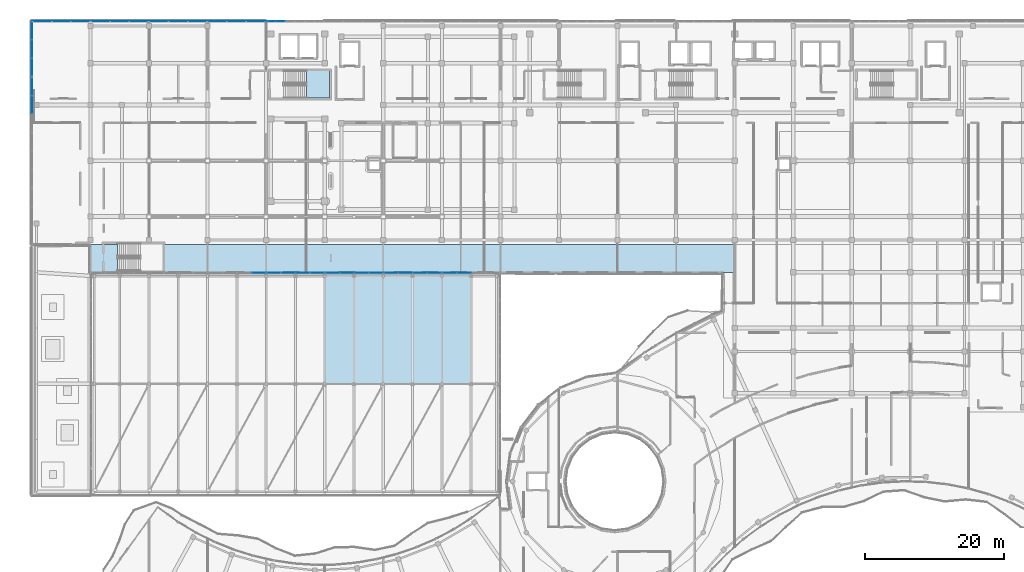
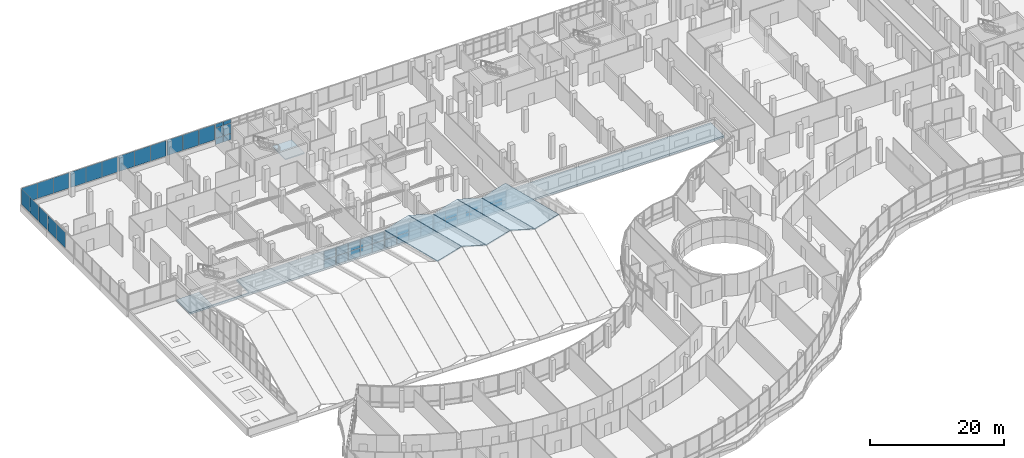
# One storey, part 151 of 184: 53 plates, 7 slabs, 13 elements without a shape of their own.
"""IFC4 building model written with IfcOpenShell, lengths in metres."""

import ifcopenshell
import ifcopenshell.guid

model = None  # the IFC model being written
_history = None  # IfcOwnerHistory: only IFC2X3 demands one
_inside = {}  # id of a spatial element -> (the spatial element, [elements in it])
_under = {}  # id of a project, library or spatial element -> (it, [spatial elements below it])
_declared = {}  # id of a project -> (the project, [libraries it declares])
_typed = {}  # id of a type object -> (the type object, [elements of that type])
_made_of = {}  # id of a material, layer set ... -> (it, [elements and type objects made of it])


def new_model(schema):
    """Start an empty IFC model of exactly this schema.

    Asked for "IFC4X3", IfcOpenShell would pick the latest addendum, in which some entities
    have other attributes; the version numbers below select the first issue.
    IFC2X3 requires an IfcOwnerHistory on every rooted entity: one is made here for all.
    """
    global model, _history
    if schema == "IFC4X3":
        model = ifcopenshell.file(schema_version=(4, 3, 0, 0))
    else:
        model = ifcopenshell.file(schema=schema)
    _inside.clear()
    _under.clear()
    _declared.clear()
    _typed.clear()
    _made_of.clear()
    _history = None
    if model.schema == "IFC2X3":
        org = make("IfcOrganization", Name="unknown")
        user = make(
            "IfcPersonAndOrganization",
            ThePerson=make("IfcPerson", FamilyName="unknown"),
            TheOrganization=org,
        )
        app = make(
            "IfcApplication",
            ApplicationDeveloper=org,
            Version="unknown",
            ApplicationFullName="unknown",
            ApplicationIdentifier="unknown",
        )
        _history = make(
            "IfcOwnerHistory",
            OwningUser=user,
            OwningApplication=app,
            ChangeAction="ADDED",
            CreationDate=0,
        )
    return model


def make(cls, **values):
    """One entity of the class cls with the attributes given. An attribute that is None is left unset."""
    return model.create_entity(
        cls, **{name: value for name, value in values.items() if value is not None}
    )


def rooted(cls, **values):
    """An entity with a GlobalId (a new one), such as an element, a storey or a relation."""
    return make(cls, GlobalId=ifcopenshell.guid.new(), OwnerHistory=_history, **values)


def si_unit(unit_type, name, prefix=None):
    """IfcSIUnit, for example si_unit("LENGTHUNIT", "METRE", prefix="MILLI")."""
    return make("IfcSIUnit", UnitType=unit_type, Prefix=prefix, Name=name)


def assignment(units):
    """IfcUnitAssignment: the units of a project."""
    return None if units is None else make("IfcUnitAssignment", Units=units)


def point(xyz):
    """IfcCartesianPoint."""
    return None if xyz is None else make("IfcCartesianPoint", Coordinates=xyz)


def direction(xyz):
    """IfcDirection."""
    return None if xyz is None else make("IfcDirection", DirectionRatios=xyz)


def frame(location, z_axis=None, x_axis=None):
    """IfcAxis2Placement3D, a coordinate frame: its origin and axes. An axis left out is left unset."""
    return make(
        "IfcAxis2Placement3D",
        Location=point(location),
        Axis=direction(z_axis),
        RefDirection=direction(x_axis),
    )


def frame_2d(location, x_axis=None):
    """IfcAxis2Placement2D, a coordinate frame in the plane: its origin and x axis."""
    return make(
        "IfcAxis2Placement2D", Location=point(location), RefDirection=direction(x_axis)
    )


def origin():
    """The frame at (0, 0, 0) with its axes left unset."""
    return frame((0.0, 0.0, 0.0))


def origin_2d():
    """The frame at (0, 0) in the plane with its x axis left unset."""
    return frame_2d((0.0, 0.0))


def place(relative_to, where):
    """IfcLocalPlacement: puts the frame where relative to a parent placement (None: the world)."""
    return make(
        "IfcLocalPlacement", PlacementRelTo=relative_to, RelativePlacement=where
    )


def context(
    kind, dimensions, precision=None, world=None, true_north=None, identifier=None
):
    """IfcGeometricRepresentationContext, for example the 3D "Model" context."""
    return make(
        "IfcGeometricRepresentationContext",
        ContextIdentifier=identifier,
        ContextType=kind,
        CoordinateSpaceDimension=dimensions,
        Precision=precision,
        WorldCoordinateSystem=world,
        TrueNorth=true_north,
    )


def subcontext(parent, identifier, kind, view, scale=None):
    """IfcGeometricRepresentationSubContext, for example "Body" below "Model"."""
    return make(
        "IfcGeometricRepresentationSubContext",
        ContextIdentifier=identifier,
        ContextType=kind,
        ParentContext=parent,
        TargetScale=scale,
        TargetView=view,
    )


def project(units=None, contexts=None):
    """IfcProject with its units and contexts."""
    return rooted(
        "IfcProject",
        Name="project",
        RepresentationContexts=contexts,
        UnitsInContext=assignment(units),
    )


def spatial(cls, under=None, at=None, **own):
    """A site, building, storey or space (cls), placed at a placement, below another one or the project."""
    s = rooted(cls, ObjectPlacement=at, **own)
    if under is not None:
        _under.setdefault(under.id(), (under, []))[1].append(s)
    return s


def polyline(points):
    """IfcPolyline through the points."""
    return make("IfcPolyline", Points=[point(p) for p in points])


def profile(cls, at=None, kind="AREA", **sizes):
    """A parametric profile (cls). Its sizes go by their IFC names, for example OverallWidth=200.0."""
    return make(cls, ProfileType=kind, Position=at, **sizes)


def rectangle(**sizes):
    """IfcRectangleProfileDef."""
    return profile("IfcRectangleProfileDef", **sizes)


def outline(outer, holes=None, kind="AREA"):
    """IfcArbitraryClosedProfileDef: a profile drawn as a closed curve; with holes, ...WithVoids."""
    if holes is None:
        return make("IfcArbitraryClosedProfileDef", ProfileType=kind, OuterCurve=outer)
    return make(
        "IfcArbitraryProfileDefWithVoids",
        ProfileType=kind,
        OuterCurve=outer,
        InnerCurves=holes,
    )


def extrude(swept, where, along, depth):
    """IfcExtrudedAreaSolid: the profile swept, set in the frame where, extruded along a direction by depth."""
    return make(
        "IfcExtrudedAreaSolid",
        SweptArea=swept,
        Position=where,
        ExtrudedDirection=direction(along),
        Depth=depth,
    )


def shape(context_of_items, identifier, shape_type, items):
    """IfcShapeRepresentation: the items that make up one representation, for example the "Body"."""
    return make(
        "IfcShapeRepresentation",
        ContextOfItems=context_of_items,
        RepresentationIdentifier=identifier,
        RepresentationType=shape_type,
        Items=items,
    )


def material(Name=None, Category=None):
    """IfcMaterial."""
    return make("IfcMaterial", Name=Name, Category=Category)


def layer(
    of_material, thickness, ventilated=None, Name=None, Category=None, Priority=None
):
    """IfcMaterialLayer: one layer of a wall or slab, of a material (None: an air gap)."""
    return make(
        "IfcMaterialLayer",
        Material=of_material,
        LayerThickness=thickness,
        IsVentilated=ventilated,
        Name=Name,
        Category=Category,
        Priority=Priority,
    )


def layer_set(layers, Name=None):
    """IfcMaterialLayerSet."""
    return make("IfcMaterialLayerSet", MaterialLayers=layers, LayerSetName=Name)


def made_of(thing, what):
    """Note that an element or type object is made of a material, layer set ...; save() writes the relation."""
    if what is not None:
        _made_of.setdefault(what.id(), (what, []))[1].append(thing)
    return thing


def type_object(cls, material=None, **own):
    """A type object (cls), such as IfcWallType, which elements share."""
    return made_of(rooted(cls, **own), material)


def element(
    cls,
    number,
    at=None,
    inside=None,
    cuts=None,
    type_object=None,
    material=None,
    context=None,
    identifier="Body",
    shape_type=None,
    held_by="IfcProductDefinitionShape",
    body=None,
    shapes=None,
    **own,
):
    """One element of the class cls, such as IfcWall. Its Tag is "e" and its number.

    at: its placement. inside: the storey or other place that contains it. cuts: it is an
    opening in that element (IfcRelVoidsElement). A single representation is given by context,
    identifier, shape_type and body (its items); several are given by shapes. held_by: the class
    of the entity that holds the representations. save() writes the other relations.
    """
    e = rooted(cls, Tag="e%d" % number, ObjectPlacement=at, **own)
    if body is not None:
        shapes = [shape(context, identifier, shape_type, body)]
    if shapes is not None:
        e.Representation = make(held_by, Representations=shapes)
    if inside is not None:
        _inside.setdefault(inside.id(), (inside, []))[1].append(e)
    if cuts is not None:
        rooted(
            "IfcRelVoidsElement", RelatingBuildingElement=cuts, RelatedOpeningElement=e
        )
    if type_object is not None:
        _typed.setdefault(type_object.id(), (type_object, []))[1].append(e)
    return made_of(e, material)


def aggregate(whole, parts):
    """IfcRelAggregates: a whole, such as a stair, and the parts it consists of."""
    return rooted("IfcRelAggregates", RelatingObject=whole, RelatedObjects=parts)


def save(model, path):
    """Write the relations noted so far, then the file.

    IfcRelAggregates (storeys below a building ...), IfcRelContainedInSpatialStructure (elements
    in a storey), IfcRelDefinesByType, IfcRelAssociatesMaterial and IfcRelDeclares: one each for
    every whole, place, type object, material and project.
    """
    for whole, parts in _under.values():
        aggregate(whole, parts)
    for where, things in _inside.values():
        rooted(
            "IfcRelContainedInSpatialStructure",
            RelatedElements=things,
            RelatingStructure=where,
        )
    for kind, things in _typed.values():
        rooted("IfcRelDefinesByType", RelatedObjects=things, RelatingType=kind)
    for what, things in _made_of.values():
        rooted("IfcRelAssociatesMaterial", RelatedObjects=things, RelatingMaterial=what)
    for by, libraries in _declared.values():
        rooted("IfcRelDeclares", RelatingContext=by, RelatedDefinitions=libraries)
    model.write(path)


model = new_model("IFC4")

# Units and contexts
model_context = context("Model", 3, precision=1e-05, world=origin(), true_north=direction((0.0, 1.0)))
body_context = subcontext(model_context, "Body", "Model", "MODEL_VIEW")
ifc_project = project(units=[si_unit("LENGTHUNIT", "METRE"), si_unit("AREAUNIT", "SQUARE_METRE"), si_unit("VOLUMEUNIT", "CUBIC_METRE"), si_unit("PLANEANGLEUNIT", "RADIAN"), si_unit("MASSUNIT", "GRAM", prefix="KILO")], contexts=[model_context])

# Site, building, storey
site_placement = place(None, origin())
site = spatial("IfcSite", under=ifc_project, at=site_placement, CompositionType="ELEMENT")
building_placement = place(site_placement, origin())
building = spatial("IfcBuilding", under=site, at=building_placement, Name="Selatvlak General Hospital", CompositionType="ELEMENT")
storey_placement = place(building_placement, frame((0.0, 0.0, 15.0)))
storey = spatial("IfcBuildingStorey", under=building, at=storey_placement, Name="L03", CompositionType="ELEMENT", Elevation=15.0)

# Curtain wall, plates
ifc_material_1 = material(Name="Solar-control Low-E double glazing", Category="glass")
curtain_wall_type_1 = type_object("IfcCurtainWallType", Name="CW-CW-01", PredefinedType="USERDEFINED", material=ifc_material_1)
curtain_wall_1_placement = place(storey_placement, origin())
curtain_wall_1 = element("IfcCurtainWall", 1, at=curtain_wall_1_placement, inside=storey, type_object=curtain_wall_type_1, Name="Glazed facade curtain wall CW-L03-0362", ObjectType="UNITISED CURTAIN WALL", PredefinedType="USERDEFINED")
ifc_layer_1 = layer(ifc_material_1, 0.028076171875, Name="Solar-control Low-E double glazing", Category="glass")
ifc_layer_set_1 = layer_set([ifc_layer_1], Name="Solar-control Low-E double glazing")
plate_type = type_object("IfcPlateType", Name="CWP-01", PredefinedType="CURTAIN_PANEL", material=ifc_layer_set_1)
plate_1_placement = place(storey_placement, frame((14.39990234375, 108.02392578125, 1.0048828125), z_axis=(0.0, 0.0, 1.0), x_axis=(0.0, 1.0, 0.0)))
plate_1 = element("IfcPlate", 2, at=plate_1_placement, type_object=plate_type, Name="CW-01 panel 2.1", PredefinedType="CURTAIN_PANEL", context=body_context, shape_type="SweptSolid", body=[
    extrude(rectangle(XDim=2.574951171875, YDim=0.028076171875, at=origin_2d()), origin(), (0.0, 0.0, 1.0), 2.824951171875),
])
plate_2_placement = place(storey_placement, frame((14.39990234375, 110.647705078125, 1.0048828125), z_axis=(0.0, 0.0, 1.0), x_axis=(0.0, 1.0, 0.0)))
plate_2 = element("IfcPlate", 3, at=plate_2_placement, type_object=plate_type, Name="CW-01 panel 3.1", PredefinedType="CURTAIN_PANEL", context=body_context, shape_type="SweptSolid", body=[
    extrude(rectangle(XDim=2.54248046875, YDim=0.028076171875, at=origin_2d()), origin(), (0.0, 0.0, 1.0), 2.824951171875),
])
aggregate(curtain_wall_1, [plate_1, plate_2])

curtain_wall_type_2 = type_object("IfcCurtainWallType", Name="CW-CW-02", PredefinedType="USERDEFINED", material=ifc_material_1)
curtain_wall_2_placement = place(storey_placement, origin())
curtain_wall_2 = element("IfcCurtainWall", 4, at=curtain_wall_2_placement, inside=storey, type_object=curtain_wall_type_2, Name="Glazed facade curtain wall CW-L03-0363", ObjectType="UNITISED CURTAIN WALL", PredefinedType="USERDEFINED")
plate_3_placement = place(storey_placement, frame((14.39990234375, 113.400146484375, 1.0048828125), z_axis=(0.0, 0.0, 1.0), x_axis=(0.0, 1.0, 0.0)))
plate_3 = element("IfcPlate", 5, at=plate_3_placement, type_object=plate_type, Name="CW-02 panel 1.1", PredefinedType="CURTAIN_PANEL", context=body_context, shape_type="SweptSolid", body=[
    extrude(rectangle(XDim=2.54248046875, YDim=0.028076171875, at=origin_2d()), origin(), (0.0, 0.0, 1.0), 2.824951171875),
])
plate_4_placement = place(storey_placement, frame((14.39990234375, 116.02392578125, 1.0048828125), z_axis=(0.0, 0.0, 1.0), x_axis=(0.0, 1.0, 0.0)))
plate_4 = element("IfcPlate", 6, at=plate_4_placement, type_object=plate_type, Name="CW-02 panel 2.1", PredefinedType="CURTAIN_PANEL", context=body_context, shape_type="SweptSolid", body=[
    extrude(rectangle(XDim=2.574951171875, YDim=0.028076171875, at=origin_2d()), origin(), (0.0, 0.0, 1.0), 2.824951171875),
])
plate_5_placement = place(storey_placement, frame((14.39990234375, 118.647705078125, 1.0048828125), z_axis=(0.0, 0.0, 1.0), x_axis=(0.0, 1.0, 0.0)))
plate_5 = element("IfcPlate", 7, at=plate_5_placement, type_object=plate_type, Name="CW-02 panel 3.1", PredefinedType="CURTAIN_PANEL", context=body_context, shape_type="SweptSolid", body=[
    extrude(rectangle(XDim=2.54248046875, YDim=0.028076171875, at=origin_2d()), origin(), (0.0, 0.0, 1.0), 2.824951171875),
])
aggregate(curtain_wall_2, [plate_3, plate_4, plate_5])

curtain_wall_3_placement = place(storey_placement, origin())
curtain_wall_3 = element("IfcCurtainWall", 8, at=curtain_wall_3_placement, inside=storey, type_object=curtain_wall_type_1, Name="Glazed facade curtain wall CW-L03-0364", ObjectType="UNITISED CURTAIN WALL", PredefinedType="USERDEFINED")
plate_6_placement = place(storey_placement, frame((15.864501953125, 119.9990234375, 1.0048828125), z_axis=(0.0, 0.0, 1.0), x_axis=(1.0, 0.0, 0.0)))
plate_6 = element("IfcPlate", 9, at=plate_6_placement, type_object=plate_type, Name="CW-01 panel 1.1", PredefinedType="CURTAIN_PANEL", context=body_context, shape_type="SweptSolid", body=[
    extrude(rectangle(XDim=2.669189453125, YDim=0.028076171875, at=origin_2d()), origin(), (0.0, 0.0, 1.0), 2.824951171875),
])
plate_7_placement = place(storey_placement, frame((18.614990234375, 119.9990234375, 1.0048828125), z_axis=(0.0, 0.0, 1.0), x_axis=(1.0, 0.0, 0.0)))
plate_7 = element("IfcPlate", 10, at=plate_7_placement, type_object=plate_type, Name="CW-01 panel 2.1", PredefinedType="CURTAIN_PANEL", context=body_context, shape_type="SweptSolid", body=[
    extrude(rectangle(XDim=2.70166015625, YDim=0.028076171875, at=origin_2d()), origin(), (0.0, 0.0, 1.0), 2.824951171875),
])
plate_8_placement = place(storey_placement, frame((21.365478515625, 119.9990234375, 1.0048828125), z_axis=(0.0, 0.0, 1.0), x_axis=(1.0, 0.0, 0.0)))
plate_8 = element("IfcPlate", 11, at=plate_8_placement, type_object=plate_type, Name="CW-01 panel 3.1", PredefinedType="CURTAIN_PANEL", context=body_context, shape_type="SweptSolid", body=[
    extrude(rectangle(XDim=2.669189453125, YDim=0.028076171875, at=origin_2d()), origin(), (0.0, 0.0, 1.0), 2.824951171875),
])
aggregate(curtain_wall_3, [plate_6, plate_7, plate_8])

curtain_wall_4_placement = place(storey_placement, origin())
curtain_wall_4 = element("IfcCurtainWall", 12, at=curtain_wall_4_placement, inside=storey, type_object=curtain_wall_type_2, Name="Glazed facade curtain wall CW-L03-0365", ObjectType="UNITISED CURTAIN WALL", PredefinedType="USERDEFINED")
plate_9_placement = place(storey_placement, frame((24.24462890625, 119.9990234375, 1.0048828125), z_axis=(0.0, 0.0, 1.0), x_axis=(1.0, 0.0, 0.0)))
plate_9 = element("IfcPlate", 13, at=plate_9_placement, type_object=plate_type, Name="CW-02 panel 1.1", PredefinedType="CURTAIN_PANEL", context=body_context, shape_type="SweptSolid", body=[
    extrude(rectangle(XDim=2.669189453125, YDim=0.028076171875, at=origin_2d()), origin(), (0.0, 0.0, 1.0), 2.824951171875),
])
plate_10_placement = place(storey_placement, frame((26.9951171875, 119.9990234375, 1.0048828125), z_axis=(0.0, 0.0, 1.0), x_axis=(1.0, 0.0, 0.0)))
plate_10 = element("IfcPlate", 14, at=plate_10_placement, type_object=plate_type, Name="CW-02 panel 2.1", PredefinedType="CURTAIN_PANEL", context=body_context, shape_type="SweptSolid", body=[
    extrude(rectangle(XDim=2.70166015625, YDim=0.028076171875, at=origin_2d()), origin(), (0.0, 0.0, 1.0), 2.824951171875),
])
plate_11_placement = place(storey_placement, frame((29.745361328125, 119.9990234375, 1.0048828125), z_axis=(0.0, 0.0, 1.0), x_axis=(1.0, 0.0, 0.0)))
plate_11 = element("IfcPlate", 15, at=plate_11_placement, type_object=plate_type, Name="CW-02 panel 3.1", PredefinedType="CURTAIN_PANEL", context=body_context, shape_type="SweptSolid", body=[
    extrude(rectangle(XDim=2.669189453125, YDim=0.028076171875, at=origin_2d()), origin(), (0.0, 0.0, 1.0), 2.824951171875),
])
aggregate(curtain_wall_4, [plate_9, plate_10, plate_11])

curtain_wall_5_placement = place(storey_placement, origin())
curtain_wall_5 = element("IfcCurtainWall", 16, at=curtain_wall_5_placement, inside=storey, type_object=curtain_wall_type_1, Name="Glazed facade curtain wall CW-L03-0366", ObjectType="UNITISED CURTAIN WALL", PredefinedType="USERDEFINED")
plate_12_placement = place(storey_placement, frame((32.62451171875, 119.9990234375, 1.0048828125), z_axis=(0.0, 0.0, 1.0), x_axis=(1.0, 0.0, 0.0)))
plate_12 = element("IfcPlate", 17, at=plate_12_placement, type_object=plate_type, Name="CW-01 panel 1.1", PredefinedType="CURTAIN_PANEL", context=body_context, shape_type="SweptSolid", body=[
    extrude(rectangle(XDim=2.669189453125, YDim=0.028076171875, at=origin_2d()), origin(), (0.0, 0.0, 1.0), 2.824951171875),
])
plate_13_placement = place(storey_placement, frame((35.375, 119.9990234375, 1.0048828125), z_axis=(0.0, 0.0, 1.0), x_axis=(1.0, 0.0, 0.0)))
plate_13 = element("IfcPlate", 18, at=plate_13_placement, type_object=plate_type, Name="CW-01 panel 2.1", PredefinedType="CURTAIN_PANEL", context=body_context, shape_type="SweptSolid", body=[
    extrude(rectangle(XDim=2.70166015625, YDim=0.028076171875, at=origin_2d()), origin(), (0.0, 0.0, 1.0), 2.824951171875),
])
plate_14_placement = place(storey_placement, frame((38.12548828125, 119.9990234375, 1.0048828125), z_axis=(0.0, 0.0, 1.0), x_axis=(1.0, 0.0, 0.0)))
plate_14 = element("IfcPlate", 19, at=plate_14_placement, type_object=plate_type, Name="CW-01 panel 3.1", PredefinedType="CURTAIN_PANEL", context=body_context, shape_type="SweptSolid", body=[
    extrude(rectangle(XDim=2.669189453125, YDim=0.028076171875, at=origin_2d()), origin(), (0.0, 0.0, 1.0), 2.824951171875),
])
aggregate(curtain_wall_5, [plate_12, plate_13, plate_14])

curtain_wall_6_placement = place(storey_placement, origin())
curtain_wall_6 = element("IfcCurtainWall", 20, at=curtain_wall_6_placement, inside=storey, type_object=curtain_wall_type_2, Name="Glazed facade curtain wall CW-L03-0367", ObjectType="UNITISED CURTAIN WALL", PredefinedType="USERDEFINED")
plate_15_placement = place(storey_placement, frame((41.004638671875, 119.9990234375, 1.0048828125), z_axis=(0.0, 0.0, 1.0), x_axis=(1.0, 0.0, 0.0)))
plate_15 = element("IfcPlate", 21, at=plate_15_placement, type_object=plate_type, Name="CW-02 panel 1.1", PredefinedType="CURTAIN_PANEL", context=body_context, shape_type="SweptSolid", body=[
    extrude(rectangle(XDim=2.669189453125, YDim=0.028076171875, at=origin_2d()), origin(), (0.0, 0.0, 1.0), 2.824951171875),
])
plate_16_placement = place(storey_placement, frame((43.7548828125, 119.9990234375, 1.0048828125), z_axis=(0.0, 0.0, 1.0), x_axis=(1.0, 0.0, 0.0)))
plate_16 = element("IfcPlate", 22, at=plate_16_placement, type_object=plate_type, Name="CW-02 panel 2.1", PredefinedType="CURTAIN_PANEL", context=body_context, shape_type="SweptSolid", body=[
    extrude(rectangle(XDim=2.70166015625, YDim=0.028076171875, at=origin_2d()), origin(), (0.0, 0.0, 1.0), 2.824951171875),
])
plate_17_placement = place(storey_placement, frame((46.50537109375, 119.9990234375, 1.0048828125), z_axis=(0.0, 0.0, 1.0), x_axis=(1.0, 0.0, 0.0)))
plate_17 = element("IfcPlate", 23, at=plate_17_placement, type_object=plate_type, Name="CW-02 panel 3.1", PredefinedType="CURTAIN_PANEL", context=body_context, shape_type="SweptSolid", body=[
    extrude(rectangle(XDim=2.669189453125, YDim=0.028076171875, at=origin_2d()), origin(), (0.0, 0.0, 1.0), 2.824951171875),
])
aggregate(curtain_wall_6, [plate_15, plate_16, plate_17])

curtain_wall_type_3 = type_object("IfcCurtainWallType", Name="CW-CW-04", PredefinedType="USERDEFINED", material=ifc_material_1)
curtain_wall_7_placement = place(storey_placement, origin())
curtain_wall_7 = element("IfcCurtainWall", 24, at=curtain_wall_7_placement, inside=storey, type_object=curtain_wall_type_3, Name="Glazed facade curtain wall CW-L03-0368", ObjectType="STICK GLAZING WALL", PredefinedType="USERDEFINED")
plate_18_placement = place(storey_placement, frame((48.64697265625, 119.9990234375, 0.06494140625), z_axis=(0.0, 0.0, 1.0), x_axis=(1.0, 0.0, 0.0)))
plate_18 = element("IfcPlate", 25, at=plate_18_placement, type_object=plate_type, Name="CW-04 panel 1.1", PredefinedType="CURTAIN_PANEL", context=body_context, shape_type="SweptSolid", body=[
    extrude(rectangle(XDim=1.294189453125, YDim=0.028076171875, at=origin_2d()), origin(), (0.0, 0.0, 1.0), 1.1025390625),
])
plate_19_placement = place(storey_placement, frame((48.64697265625, 119.9990234375, 1.232421875), z_axis=(0.0, 0.0, 1.0), x_axis=(1.0, 0.0, 0.0)))
plate_19 = element("IfcPlate", 26, at=plate_19_placement, type_object=plate_type, Name="CW-04 panel 1.2", PredefinedType="CURTAIN_PANEL", context=body_context, shape_type="SweptSolid", body=[
    extrude(rectangle(XDim=1.294189453125, YDim=0.028076171875, at=origin_2d()), origin(), (0.0, 0.0, 1.0), 1.830078125),
])
plate_20_placement = place(storey_placement, frame((48.64697265625, 119.9990234375, 3.12744140625), z_axis=(0.0, 0.0, 1.0), x_axis=(1.0, 0.0, 0.0)))
plate_20 = element("IfcPlate", 27, at=plate_20_placement, type_object=plate_type, Name="CW-04 panel 1.3", PredefinedType="CURTAIN_PANEL", context=body_context, shape_type="SweptSolid", body=[
    extrude(rectangle(XDim=1.294189453125, YDim=0.028076171875, at=origin_2d()), origin(), (0.0, 0.0, 1.0), 0.702392578125),
])
plate_21_placement = place(storey_placement, frame((50.0224609375, 119.9990234375, 0.06494140625), z_axis=(0.0, 0.0, 1.0), x_axis=(1.0, 0.0, 0.0)))
plate_21 = element("IfcPlate", 28, at=plate_21_placement, type_object=plate_type, Name="CW-04 panel 2.1", PredefinedType="CURTAIN_PANEL", context=body_context, shape_type="SweptSolid", body=[
    extrude(rectangle(XDim=1.32666015625, YDim=0.028076171875, at=origin_2d()), origin(), (0.0, 0.0, 1.0), 1.1025390625),
])
plate_22_placement = place(storey_placement, frame((50.0224609375, 119.9990234375, 1.232421875), z_axis=(0.0, 0.0, 1.0), x_axis=(1.0, 0.0, 0.0)))
plate_22 = element("IfcPlate", 29, at=plate_22_placement, type_object=plate_type, Name="CW-04 panel 2.2", PredefinedType="CURTAIN_PANEL", context=body_context, shape_type="SweptSolid", body=[
    extrude(rectangle(XDim=1.32666015625, YDim=0.028076171875, at=origin_2d()), origin(), (0.0, 0.0, 1.0), 1.830078125),
])
plate_23_placement = place(storey_placement, frame((50.0224609375, 119.9990234375, 3.12744140625), z_axis=(0.0, 0.0, 1.0), x_axis=(1.0, 0.0, 0.0)))
plate_23 = element("IfcPlate", 30, at=plate_23_placement, type_object=plate_type, Name="CW-04 panel 2.3", PredefinedType="CURTAIN_PANEL", context=body_context, shape_type="SweptSolid", body=[
    extrude(rectangle(XDim=1.32666015625, YDim=0.028076171875, at=origin_2d()), origin(), (0.0, 0.0, 1.0), 0.702392578125),
])
aggregate(curtain_wall_7, [plate_18, plate_19, plate_20, plate_21, plate_22, plate_23])

curtain_wall_8_placement = place(storey_placement, origin())
curtain_wall_8 = element("IfcCurtainWall", 31, at=curtain_wall_8_placement, inside=storey, type_object=curtain_wall_type_3, Name="Glazed facade curtain wall CW-L03-0718", ObjectType="STICK GLAZING WALL", PredefinedType="USERDEFINED")
plate_24_placement = place(storey_placement, frame((46.9287109375, 83.919921875, 0.06494140625), z_axis=(0.0, 0.0, 1.0), x_axis=(1.0, 0.0, 0.0)))
plate_24 = element("IfcPlate", 32, at=plate_24_placement, type_object=plate_type, Name="CW-04 panel 4.1", PredefinedType="CURTAIN_PANEL", context=body_context, shape_type="SweptSolid", body=[
    extrude(rectangle(XDim=1.982421875, YDim=0.028076171875, at=origin_2d()), origin(), (0.0, 0.0, 1.0), 1.50244140625),
])
plate_25_placement = place(storey_placement, frame((46.9287109375, 83.919921875, 1.63232421875), z_axis=(0.0, 0.0, 1.0), x_axis=(1.0, 0.0, 0.0)))
plate_25 = element("IfcPlate", 33, at=plate_25_placement, type_object=plate_type, Name="CW-04 panel 4.2", PredefinedType="CURTAIN_PANEL", context=body_context, shape_type="SweptSolid", body=[
    extrude(rectangle(XDim=1.982421875, YDim=0.028076171875, at=origin_2d()), origin(), (0.0, 0.0, 1.0), 1.552490234375),
])
aggregate(curtain_wall_8, [plate_24, plate_25])

curtain_wall_9_placement = place(storey_placement, origin())
curtain_wall_9 = element("IfcCurtainWall", 34, at=curtain_wall_9_placement, inside=storey, type_object=curtain_wall_type_3, Name="Glazed facade curtain wall CW-L03-0719", ObjectType="STICK GLAZING WALL", PredefinedType="USERDEFINED")
plate_26_placement = place(storey_placement, frame((49.121337890625, 83.919921875, 0.06494140625), z_axis=(0.0, 0.0, 1.0), x_axis=(1.0, 0.0, 0.0)))
plate_26 = element("IfcPlate", 35, at=plate_26_placement, type_object=plate_type, Name="CW-04 panel 1.1", PredefinedType="CURTAIN_PANEL", context=body_context, shape_type="SweptSolid", body=[
    extrude(rectangle(XDim=1.982421875, YDim=0.028076171875, at=origin_2d()), origin(), (0.0, 0.0, 1.0), 1.50244140625),
])
plate_27_placement = place(storey_placement, frame((49.121337890625, 83.919921875, 1.63232421875), z_axis=(0.0, 0.0, 1.0), x_axis=(1.0, 0.0, 0.0)))
plate_27 = element("IfcPlate", 36, at=plate_27_placement, type_object=plate_type, Name="CW-04 panel 1.2", PredefinedType="CURTAIN_PANEL", context=body_context, shape_type="SweptSolid", body=[
    extrude(rectangle(XDim=1.982421875, YDim=0.028076171875, at=origin_2d()), origin(), (0.0, 0.0, 1.0), 1.552490234375),
])
plate_28_placement = place(storey_placement, frame((51.18505859375, 83.919921875, 0.06494140625), z_axis=(0.0, 0.0, 1.0), x_axis=(1.0, 0.0, 0.0)))
plate_28 = element("IfcPlate", 37, at=plate_28_placement, type_object=plate_type, Name="CW-04 panel 2.1", PredefinedType="CURTAIN_PANEL", context=body_context, shape_type="SweptSolid", body=[
    extrude(rectangle(XDim=2.014892578125, YDim=0.028076171875, at=origin_2d()), origin(), (0.0, 0.0, 1.0), 1.50244140625),
])
plate_29_placement = place(storey_placement, frame((51.18505859375, 83.919921875, 1.63232421875), z_axis=(0.0, 0.0, 1.0), x_axis=(1.0, 0.0, 0.0)))
plate_29 = element("IfcPlate", 38, at=plate_29_placement, type_object=plate_type, Name="CW-04 panel 2.2", PredefinedType="CURTAIN_PANEL", context=body_context, shape_type="SweptSolid", body=[
    extrude(rectangle(XDim=2.014892578125, YDim=0.028076171875, at=origin_2d()), origin(), (0.0, 0.0, 1.0), 1.552490234375),
])
plate_30_placement = place(storey_placement, frame((53.264892578125, 83.919921875, 0.06494140625), z_axis=(0.0, 0.0, 1.0), x_axis=(1.0, 0.0, 0.0)))
plate_30 = element("IfcPlate", 39, at=plate_30_placement, type_object=plate_type, Name="CW-04 panel 3.1", PredefinedType="CURTAIN_PANEL", context=body_context, shape_type="SweptSolid", body=[
    extrude(rectangle(XDim=2.014892578125, YDim=0.028076171875, at=origin_2d()), origin(), (0.0, 0.0, 1.0), 1.50244140625),
])
plate_31_placement = place(storey_placement, frame((53.264892578125, 83.919921875, 1.63232421875), z_axis=(0.0, 0.0, 1.0), x_axis=(1.0, 0.0, 0.0)))
plate_31 = element("IfcPlate", 40, at=plate_31_placement, type_object=plate_type, Name="CW-04 panel 3.2", PredefinedType="CURTAIN_PANEL", context=body_context, shape_type="SweptSolid", body=[
    extrude(rectangle(XDim=2.014892578125, YDim=0.028076171875, at=origin_2d()), origin(), (0.0, 0.0, 1.0), 1.552490234375),
])
plate_32_placement = place(storey_placement, frame((55.328857421875, 83.919921875, 0.06494140625), z_axis=(0.0, 0.0, 1.0), x_axis=(1.0, 0.0, 0.0)))
plate_32 = element("IfcPlate", 41, at=plate_32_placement, type_object=plate_type, Name="CW-04 panel 4.1", PredefinedType="CURTAIN_PANEL", context=body_context, shape_type="SweptSolid", body=[
    extrude(rectangle(XDim=1.982421875, YDim=0.028076171875, at=origin_2d()), origin(), (0.0, 0.0, 1.0), 1.50244140625),
])
plate_33_placement = place(storey_placement, frame((55.328857421875, 83.919921875, 1.63232421875), z_axis=(0.0, 0.0, 1.0), x_axis=(1.0, 0.0, 0.0)))
plate_33 = element("IfcPlate", 42, at=plate_33_placement, type_object=plate_type, Name="CW-04 panel 4.2", PredefinedType="CURTAIN_PANEL", context=body_context, shape_type="SweptSolid", body=[
    extrude(rectangle(XDim=1.982421875, YDim=0.028076171875, at=origin_2d()), origin(), (0.0, 0.0, 1.0), 1.552490234375),
])
aggregate(curtain_wall_9, [plate_26, plate_27, plate_28, plate_29, plate_30, plate_31, plate_32, plate_33])

curtain_wall_10_placement = place(storey_placement, origin())
curtain_wall_10 = element("IfcCurtainWall", 43, at=curtain_wall_10_placement, inside=storey, type_object=curtain_wall_type_3, Name="Glazed facade curtain wall CW-L03-0720", ObjectType="STICK GLAZING WALL", PredefinedType="USERDEFINED")
plate_34_placement = place(storey_placement, frame((57.521240234375, 83.919921875, 0.06494140625), z_axis=(0.0, 0.0, 1.0), x_axis=(1.0, 0.0, 0.0)))
plate_34 = element("IfcPlate", 44, at=plate_34_placement, type_object=plate_type, Name="CW-04 panel 1.1", PredefinedType="CURTAIN_PANEL", context=body_context, shape_type="SweptSolid", body=[
    extrude(rectangle(XDim=1.982421875, YDim=0.028076171875, at=origin_2d()), origin(), (0.0, 0.0, 1.0), 1.50244140625),
])
plate_35_placement = place(storey_placement, frame((57.521240234375, 83.919921875, 1.63232421875), z_axis=(0.0, 0.0, 1.0), x_axis=(1.0, 0.0, 0.0)))
plate_35 = element("IfcPlate", 45, at=plate_35_placement, type_object=plate_type, Name="CW-04 panel 1.2", PredefinedType="CURTAIN_PANEL", context=body_context, shape_type="SweptSolid", body=[
    extrude(rectangle(XDim=1.982421875, YDim=0.028076171875, at=origin_2d()), origin(), (0.0, 0.0, 1.0), 1.552490234375),
])
plate_36_placement = place(storey_placement, frame((59.5849609375, 83.919921875, 0.06494140625), z_axis=(0.0, 0.0, 1.0), x_axis=(1.0, 0.0, 0.0)))
plate_36 = element("IfcPlate", 46, at=plate_36_placement, type_object=plate_type, Name="CW-04 panel 2.1", PredefinedType="CURTAIN_PANEL", context=body_context, shape_type="SweptSolid", body=[
    extrude(rectangle(XDim=2.014892578125, YDim=0.028076171875, at=origin_2d()), origin(), (0.0, 0.0, 1.0), 1.50244140625),
])
plate_37_placement = place(storey_placement, frame((59.5849609375, 83.919921875, 1.63232421875), z_axis=(0.0, 0.0, 1.0), x_axis=(1.0, 0.0, 0.0)))
plate_37 = element("IfcPlate", 47, at=plate_37_placement, type_object=plate_type, Name="CW-04 panel 2.2", PredefinedType="CURTAIN_PANEL", context=body_context, shape_type="SweptSolid", body=[
    extrude(rectangle(XDim=2.014892578125, YDim=0.028076171875, at=origin_2d()), origin(), (0.0, 0.0, 1.0), 1.552490234375),
])
plate_38_placement = place(storey_placement, frame((61.6650390625, 83.919921875, 0.06494140625), z_axis=(0.0, 0.0, 1.0), x_axis=(1.0, 0.0, 0.0)))
plate_38 = element("IfcPlate", 48, at=plate_38_placement, type_object=plate_type, Name="CW-04 panel 3.1", PredefinedType="CURTAIN_PANEL", context=body_context, shape_type="SweptSolid", body=[
    extrude(rectangle(XDim=2.014892578125, YDim=0.028076171875, at=origin_2d()), origin(), (0.0, 0.0, 1.0), 1.50244140625),
])
plate_39_placement = place(storey_placement, frame((61.6650390625, 83.919921875, 1.63232421875), z_axis=(0.0, 0.0, 1.0), x_axis=(1.0, 0.0, 0.0)))
plate_39 = element("IfcPlate", 49, at=plate_39_placement, type_object=plate_type, Name="CW-04 panel 3.2", PredefinedType="CURTAIN_PANEL", context=body_context, shape_type="SweptSolid", body=[
    extrude(rectangle(XDim=2.014892578125, YDim=0.028076171875, at=origin_2d()), origin(), (0.0, 0.0, 1.0), 1.552490234375),
])
plate_40_placement = place(storey_placement, frame((63.728759765625, 83.919921875, 0.06494140625), z_axis=(0.0, 0.0, 1.0), x_axis=(1.0, 0.0, 0.0)))
plate_40 = element("IfcPlate", 50, at=plate_40_placement, type_object=plate_type, Name="CW-04 panel 4.1", PredefinedType="CURTAIN_PANEL", context=body_context, shape_type="SweptSolid", body=[
    extrude(rectangle(XDim=1.982421875, YDim=0.028076171875, at=origin_2d()), origin(), (0.0, 0.0, 1.0), 1.50244140625),
])
plate_41_placement = place(storey_placement, frame((63.728759765625, 83.919921875, 1.63232421875), z_axis=(0.0, 0.0, 1.0), x_axis=(1.0, 0.0, 0.0)))
plate_41 = element("IfcPlate", 51, at=plate_41_placement, type_object=plate_type, Name="CW-04 panel 4.2", PredefinedType="CURTAIN_PANEL", context=body_context, shape_type="SweptSolid", body=[
    extrude(rectangle(XDim=1.982421875, YDim=0.028076171875, at=origin_2d()), origin(), (0.0, 0.0, 1.0), 1.552490234375),
])
aggregate(curtain_wall_10, [plate_34, plate_35, plate_36, plate_37, plate_38, plate_39, plate_40, plate_41])

curtain_wall_11_placement = place(storey_placement, origin())
curtain_wall_11 = element("IfcCurtainWall", 52, at=curtain_wall_11_placement, inside=storey, type_object=curtain_wall_type_3, Name="Glazed facade curtain wall CW-L03-0721", ObjectType="STICK GLAZING WALL", PredefinedType="USERDEFINED")
plate_42_placement = place(storey_placement, frame((65.921142578125, 83.919921875, 0.06494140625), z_axis=(0.0, 0.0, 1.0), x_axis=(1.0, 0.0, 0.0)))
plate_42 = element("IfcPlate", 53, at=plate_42_placement, type_object=plate_type, Name="CW-04 panel 1.1", PredefinedType="CURTAIN_PANEL", context=body_context, shape_type="SweptSolid", body=[
    extrude(rectangle(XDim=1.982421875, YDim=0.028076171875, at=origin_2d()), origin(), (0.0, 0.0, 1.0), 1.50244140625),
])
plate_43_placement = place(storey_placement, frame((65.921142578125, 83.919921875, 1.63232421875), z_axis=(0.0, 0.0, 1.0), x_axis=(1.0, 0.0, 0.0)))
plate_43 = element("IfcPlate", 54, at=plate_43_placement, type_object=plate_type, Name="CW-04 panel 1.2", PredefinedType="CURTAIN_PANEL", context=body_context, shape_type="SweptSolid", body=[
    extrude(rectangle(XDim=1.982421875, YDim=0.028076171875, at=origin_2d()), origin(), (0.0, 0.0, 1.0), 1.552490234375),
])
plate_44_placement = place(storey_placement, frame((67.985107421875, 83.919921875, 0.06494140625), z_axis=(0.0, 0.0, 1.0), x_axis=(1.0, 0.0, 0.0)))
plate_44 = element("IfcPlate", 55, at=plate_44_placement, type_object=plate_type, Name="CW-04 panel 2.1", PredefinedType="CURTAIN_PANEL", context=body_context, shape_type="SweptSolid", body=[
    extrude(rectangle(XDim=2.014892578125, YDim=0.028076171875, at=origin_2d()), origin(), (0.0, 0.0, 1.0), 1.50244140625),
])
plate_45_placement = place(storey_placement, frame((67.985107421875, 83.919921875, 1.63232421875), z_axis=(0.0, 0.0, 1.0), x_axis=(1.0, 0.0, 0.0)))
plate_45 = element("IfcPlate", 56, at=plate_45_placement, type_object=plate_type, Name="CW-04 panel 2.2", PredefinedType="CURTAIN_PANEL", context=body_context, shape_type="SweptSolid", body=[
    extrude(rectangle(XDim=2.014892578125, YDim=0.028076171875, at=origin_2d()), origin(), (0.0, 0.0, 1.0), 1.552490234375),
])
plate_46_placement = place(storey_placement, frame((70.06494140625, 83.919921875, 0.06494140625), z_axis=(0.0, 0.0, 1.0), x_axis=(1.0, 0.0, 0.0)))
plate_46 = element("IfcPlate", 57, at=plate_46_placement, type_object=plate_type, Name="CW-04 panel 3.1", PredefinedType="CURTAIN_PANEL", context=body_context, shape_type="SweptSolid", body=[
    extrude(rectangle(XDim=2.014892578125, YDim=0.028076171875, at=origin_2d()), origin(), (0.0, 0.0, 1.0), 1.50244140625),
])
plate_47_placement = place(storey_placement, frame((70.06494140625, 83.919921875, 1.63232421875), z_axis=(0.0, 0.0, 1.0), x_axis=(1.0, 0.0, 0.0)))
plate_47 = element("IfcPlate", 58, at=plate_47_placement, type_object=plate_type, Name="CW-04 panel 3.2", PredefinedType="CURTAIN_PANEL", context=body_context, shape_type="SweptSolid", body=[
    extrude(rectangle(XDim=2.014892578125, YDim=0.028076171875, at=origin_2d()), origin(), (0.0, 0.0, 1.0), 1.552490234375),
])
plate_48_placement = place(storey_placement, frame((72.128662109375, 83.919921875, 0.06494140625), z_axis=(0.0, 0.0, 1.0), x_axis=(1.0, 0.0, 0.0)))
plate_48 = element("IfcPlate", 59, at=plate_48_placement, type_object=plate_type, Name="CW-04 panel 4.1", PredefinedType="CURTAIN_PANEL", context=body_context, shape_type="SweptSolid", body=[
    extrude(rectangle(XDim=1.982421875, YDim=0.028076171875, at=origin_2d()), origin(), (0.0, 0.0, 1.0), 1.50244140625),
])
plate_49_placement = place(storey_placement, frame((72.128662109375, 83.919921875, 1.63232421875), z_axis=(0.0, 0.0, 1.0), x_axis=(1.0, 0.0, 0.0)))
plate_49 = element("IfcPlate", 60, at=plate_49_placement, type_object=plate_type, Name="CW-04 panel 4.2", PredefinedType="CURTAIN_PANEL", context=body_context, shape_type="SweptSolid", body=[
    extrude(rectangle(XDim=1.982421875, YDim=0.028076171875, at=origin_2d()), origin(), (0.0, 0.0, 1.0), 1.552490234375),
])
aggregate(curtain_wall_11, [plate_42, plate_43, plate_44, plate_45, plate_46, plate_47, plate_48, plate_49])

curtain_wall_12_placement = place(storey_placement, origin())
curtain_wall_12 = element("IfcCurtainWall", 61, at=curtain_wall_12_placement, inside=storey, type_object=curtain_wall_type_3, Name="Glazed facade curtain wall CW-L03-0722", ObjectType="STICK GLAZING WALL", PredefinedType="USERDEFINED")
plate_50_placement = place(storey_placement, frame((74.3212890625, 83.919921875, 0.06494140625), z_axis=(0.0, 0.0, 1.0), x_axis=(1.0, 0.0, 0.0)))
plate_50 = element("IfcPlate", 62, at=plate_50_placement, type_object=plate_type, Name="CW-04 panel 1.1", PredefinedType="CURTAIN_PANEL", context=body_context, shape_type="SweptSolid", body=[
    extrude(rectangle(XDim=1.982421875, YDim=0.028076171875, at=origin_2d()), origin(), (0.0, 0.0, 1.0), 1.50244140625),
])
plate_51_placement = place(storey_placement, frame((74.3212890625, 83.919921875, 1.63232421875), z_axis=(0.0, 0.0, 1.0), x_axis=(1.0, 0.0, 0.0)))
plate_51 = element("IfcPlate", 63, at=plate_51_placement, type_object=plate_type, Name="CW-04 panel 1.2", PredefinedType="CURTAIN_PANEL", context=body_context, shape_type="SweptSolid", body=[
    extrude(rectangle(XDim=1.982421875, YDim=0.028076171875, at=origin_2d()), origin(), (0.0, 0.0, 1.0), 1.552490234375),
])
plate_52_placement = place(storey_placement, frame((76.385009765625, 83.919921875, 0.06494140625), z_axis=(0.0, 0.0, 1.0), x_axis=(1.0, 0.0, 0.0)))
plate_52 = element("IfcPlate", 64, at=plate_52_placement, type_object=plate_type, Name="CW-04 panel 2.1", PredefinedType="CURTAIN_PANEL", context=body_context, shape_type="SweptSolid", body=[
    extrude(rectangle(XDim=2.014892578125, YDim=0.028076171875, at=origin_2d()), origin(), (0.0, 0.0, 1.0), 1.50244140625),
])
plate_53_placement = place(storey_placement, frame((76.385009765625, 83.919921875, 1.63232421875), z_axis=(0.0, 0.0, 1.0), x_axis=(1.0, 0.0, 0.0)))
plate_53 = element("IfcPlate", 65, at=plate_53_placement, type_object=plate_type, Name="CW-04 panel 2.2", PredefinedType="CURTAIN_PANEL", context=body_context, shape_type="SweptSolid", body=[
    extrude(rectangle(XDim=2.014892578125, YDim=0.028076171875, at=origin_2d()), origin(), (0.0, 0.0, 1.0), 1.552490234375),
])
aggregate(curtain_wall_12, [plate_50, plate_51, plate_52, plate_53])

# Stair, slab
ifc_material_2 = material(Name="Precast concrete C40/50", Category="concrete")
stair_type = type_object("IfcStairType", Name="STAIR-ST-01", PredefinedType="HALF_TURN_STAIR", material=ifc_material_2)
stair_placement = place(storey_placement, origin())
stair = element("IfcStair", 66, at=stair_placement, inside=storey, type_object=stair_type, Name="L03 Protected exit stair ST-01", PredefinedType="HALF_TURN_STAIR")
ifc_material_3 = material(Name="Concrete C40/50", Category="concrete")
ifc_layer_2 = layer(ifc_material_3, 0.199951171875, Name="Concrete C40/50", Category="concrete")
ifc_layer_set_2 = layer_set([ifc_layer_2], Name="Concrete C40/50")
slab_type_1 = type_object("IfcSlabType", Name="SLAB-LND1", PredefinedType="LANDING", material=ifc_layer_set_2)
slab_1_placement = place(storey_placement, frame((0.0, 0.0, 1.89990234375)))
slab_1 = element("IfcSlab", 67, at=slab_1_placement, type_object=slab_type_1, Name="ST-01 landing 1", PredefinedType="LANDING", context=body_context, shape_type="SweptSolid", body=[
    extrude(outline(polyline([(53.764892578125, 109.0), (57.050048828125, 109.0), (57.050048828125, 112.93994140625), (53.764892578125, 112.93994140625), (53.764892578125, 109.0)])), origin(), (0.0, 0.0, 1.0), 0.2001953125),
])
aggregate(stair, [slab_1])

# Slabs
ifc_layer_3 = layer(ifc_material_3, 0.340087890625, Name="Concrete C40/50", Category="concrete")
ifc_layer_set_3 = layer_set([ifc_layer_3], Name="Concrete C40/50")
slab_type_2 = type_object("IfcSlabType", Name="SLAB-SL-FL3", PredefinedType="FLOOR", material=ifc_layer_set_3)
slab_2_placement = place(storey_placement, frame((0.0, 0.0, -0.340087890625)))
element("IfcSlab", 68, at=slab_2_placement, inside=storey, type_object=slab_type_2, Name="L03 V3S structural slab", PredefinedType="FLOOR", context=body_context, shape_type="SweptSolid", body=[
    extrude(outline(polyline([(26.705078125, 88.0), (26.705078125, 84.199951171875), (33.199951171875, 84.199951171875), (33.199951171875, 88.0), (115.199951171875, 88.0), (115.199951171875, 84.0), (22.800048828125, 84.0), (22.800048828125, 88.0), (26.705078125, 88.0)])), origin(), (0.0, 0.0, 1.0), 0.340087890625),
])
ifc_layer_4 = layer(ifc_material_3, 0.2080078125, Name="Concrete C40/50", Category="concrete")
ifc_layer_set_4 = layer_set([ifc_layer_4], Name="Concrete C40/50")
slab_type_3 = type_object("IfcSlabType", Name="SLAB-SL-FP3", PredefinedType="ROOF", material=ifc_layer_set_4)
slab_3_placement = place(storey_placement, frame((56.425048828125, 68.02490234375, 7.39990234375), z_axis=(-0.270120632948, 0.233862279768, 0.933993189353), x_axis=(0.960631764476, 0.0, 0.277824788455)))
element("IfcSlab", 69, at=slab_3_placement, inside=storey, type_object=slab_type_3, Name="Folded-plate roof facet RF-FP-18", PredefinedType="ROOF", context=body_context, shape_type="SweptSolid", body=[
    extrude(outline(polyline([(0.0, 0.0), (4.3199720196789135, -5.551115123125783e-17), (3.208672865857815, 16.43072607395792), (-1.1112991538210986, 16.43072607395792), (0.0, 0.0)])), origin(), (0.0, 0.0, -1.0), 0.2080078125),
])
slab_4_placement = place(storey_placement, frame((64.824951171875, 68.02490234375, 7.39990234375), z_axis=(-0.270105901914, 0.233863283557, 0.933997198259), x_axis=(0.960636126276, 0.0, 0.277809706263)))
element("IfcSlab", 70, at=slab_4_placement, inside=storey, type_object=slab_type_3, Name="Folded-plate roof facet RF-FP-22", PredefinedType="ROOF", context=body_context, shape_type="SweptSolid", body=[
    extrude(outline(polyline([(0.0, 0.0), (4.320206549450749, 0.0), (3.2089677243972687, 16.430730154208547), (-1.1112388250534802, 16.430730154208547), (0.0, 0.0)])), origin(), (0.0, 0.0, -1.0), 0.2080078125),
])
slab_5_placement = place(storey_placement, frame((73.22509765625, 68.02490234375, 7.39990234375), z_axis=(-0.270120632948, 0.233862279768, 0.933993189353), x_axis=(0.960631764476, 0.0, 0.277824788455)))
element("IfcSlab", 71, at=slab_5_placement, inside=storey, type_object=slab_type_3, Name="Folded-plate roof facet RF-FP-26", PredefinedType="ROOF", context=body_context, shape_type="SweptSolid", body=[
    extrude(outline(polyline([(0.0, 0.0), (4.3199720196789135, -5.551115123125783e-17), (3.208672865857815, 16.43072607395792), (-1.1112991538210986, 16.43072607395792), (0.0, 0.0)])), origin(), (0.0, 0.0, -1.0), 0.2080078125),
])
ifc_layer_5 = layer(ifc_material_3, 0.2041015625, Name="Concrete C40/50", Category="concrete")
ifc_layer_set_5 = layer_set([ifc_layer_5], Name="Concrete C40/50")
slab_type_4 = type_object("IfcSlabType", Name="SLAB-SL-FP4", PredefinedType="ROOF", material=ifc_layer_set_5)
slab_6_placement = place(storey_placement, frame((60.625, 68.02490234375, 8.60009765625), z_axis=(0.270120632948, 0.233862279768, 0.933993189353), x_axis=(0.960631764476, 0.0, -0.277824788455)))
element("IfcSlab", 72, at=slab_6_placement, inside=storey, type_object=slab_type_4, Name="Folded-plate roof facet RF-FP-20", PredefinedType="ROOF", context=body_context, shape_type="SweptSolid", body=[
    extrude(outline(polyline([(0.0, 0.0), (4.3199720196789135, 5.551115123125783e-17), (5.431271173500012, 16.43072607395792), (1.1112991538210986, 16.43072607395792), (0.0, 0.0)])), origin(), (0.0, 0.0, -1.0), 0.2041015625),
])
slab_7_placement = place(storey_placement, frame((69.02490234375, 68.02490234375, 8.60009765625), z_axis=(0.270105901914, 0.233863283557, 0.933997198259), x_axis=(0.960636126276, 0.0, -0.277809706263)))
element("IfcSlab", 73, at=slab_7_placement, inside=storey, type_object=slab_type_4, Name="Folded-plate roof facet RF-FP-24", PredefinedType="ROOF", context=body_context, shape_type="SweptSolid", body=[
    extrude(outline(polyline([(0.0, 0.0), (4.320206549450749, 0.0), (5.4314453745042295, 16.430730154208547), (1.1112388250534802, 16.430730154208547), (0.0, 0.0)])), origin(), (0.0, 0.0, -1.0), 0.2041015625),
])

save(model, "model.ifc")
